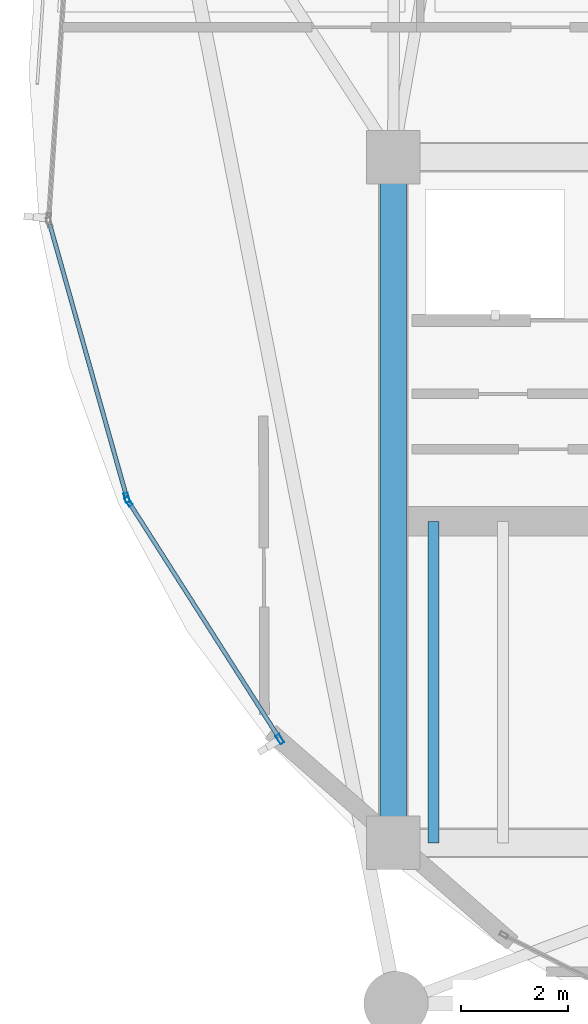
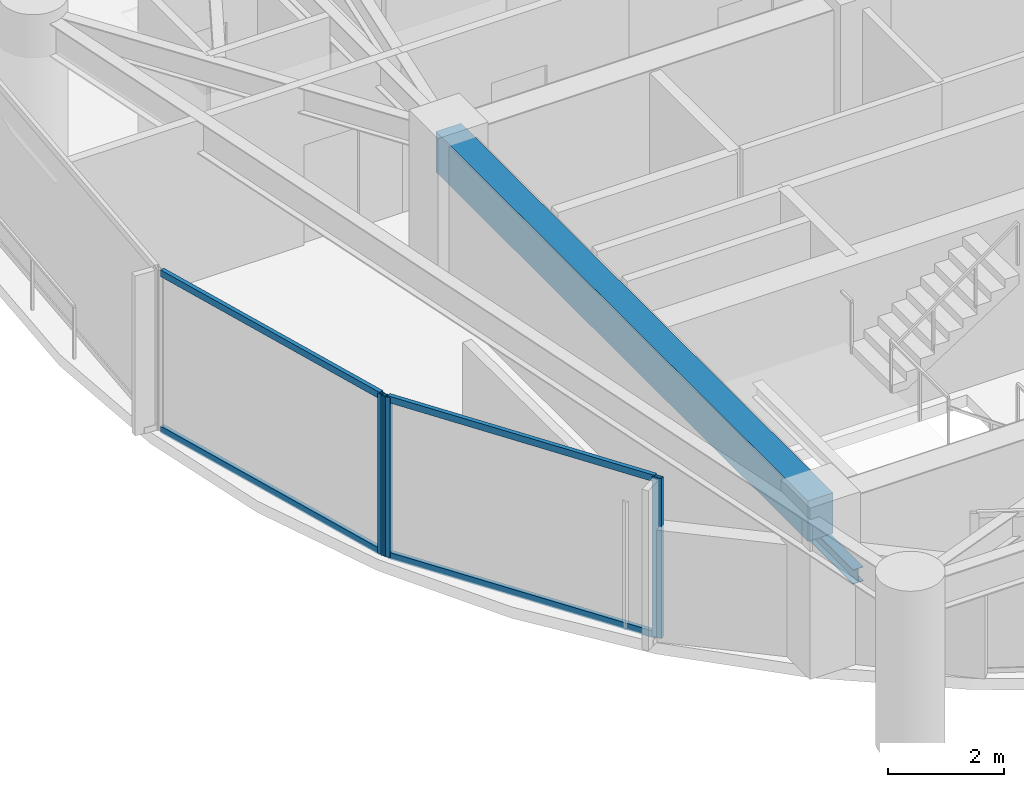
# One storey, part 3 of 30: 7 members, 2 beams, 2 elements without a shape of their own.
"""IFC4 building model written with IfcOpenShell, lengths in metres."""

from ifc_helpers import new_model, si_unit, direction, frame, origin, origin_2d, place, context, subcontext, project, spatial, rectangle, hollow_rectangle, i_section, extrude, material, layer, layer_set, material_profile, profile_set, type_object, element, aggregate, save


model = new_model("IFC4")

# Units and contexts
model_context = context("Model", 3, precision=1e-05, world=origin(), true_north=direction((0.0, 1.0)))
body_context = subcontext(model_context, "Body", "Model", "MODEL_VIEW")
ifc_project = project(units=[si_unit("LENGTHUNIT", "METRE"), si_unit("AREAUNIT", "SQUARE_METRE"), si_unit("VOLUMEUNIT", "CUBIC_METRE"), si_unit("PLANEANGLEUNIT", "RADIAN"), si_unit("MASSUNIT", "GRAM", prefix="KILO")], contexts=[model_context])

# Site, building, storey
site_placement = place(None, origin())
site = spatial("IfcSite", under=ifc_project, at=site_placement, CompositionType="ELEMENT")
building_placement = place(site_placement, origin())
building = spatial("IfcBuilding", under=site, at=building_placement, Name="Kazevale Care Tower and Concert Hall", CompositionType="ELEMENT")
storey_placement = place(building_placement, frame((0.0, 0.0, 131.39990234375)))
storey = spatial("IfcBuildingStorey", under=building, at=storey_placement, Name="L34", CompositionType="ELEMENT", Elevation=131.39990234375)

# Curtain wall, members
ifc_material_1 = material(Name="Aluminium 6063-T6 and Low-E Glass", Category="aluminium")
ifc_layer = layer(ifc_material_1, 0.179931640625)
ifc_layer_set = layer_set([ifc_layer], Name="Aluminium 6063-T6 and Low-E Glass")
curtain_wall_type = type_object("IfcCurtainWallType", Name="Waist & Upper Residential Curtain Wall CW-4", PredefinedType="NOTDEFINED", material=ifc_layer_set)
curtain_wall_1_placement = place(storey_placement, origin())
curtain_wall_1 = element("IfcCurtainWall", 1, at=curtain_wall_1_placement, inside=storey, type_object=curtain_wall_type, Name="cw:L34:f11", PredefinedType="NOTDEFINED")
ifc_material_2 = material(Name="Aluminium 6063-T6", Category="aluminium")
ifc_material_profile_1 = material_profile(ifc_material_2, hollow_rectangle(XDim=0.080078125, YDim=0.179931640625, WallThickness=0.0048828125, at=origin_2d()), Name="ALU80x180x5")
ifc_profile_set_1 = profile_set([ifc_material_profile_1], Name="Aluminium 6063-T6")
member_type_1 = type_object("IfcMemberType", Name="CW-4 Mullion ALU80x180x5", PredefinedType="MULLION", material=ifc_profile_set_1)
member_1_placement = place(storey_placement, frame((19.882568359375, 25.53564453125, 0.0), z_axis=(0.0, 0.0, 1.0), x_axis=(-0.843429930967, -0.537239193981, 0.0)))
member_1 = element("IfcMember", 2, at=member_1_placement, type_object=member_type_1, Name="CW-4 mullion 1", PredefinedType="MULLION", context=body_context, shape_type="SweptSolid", body=[
    extrude(hollow_rectangle(XDim=0.080078125, YDim=0.179931640625, WallThickness=0.0048828125, at=origin_2d()), origin(), (0.0, 0.0, 1.0), 3.360107421875),
])
member_2_placement = place(storey_placement, frame((17.05859375, 29.96923828125, 0.0), z_axis=(0.0, 0.0, 1.0), x_axis=(-0.843429930967, -0.537239193981, 0.0)))
member_2 = element("IfcMember", 3, at=member_2_placement, type_object=member_type_1, Name="CW-4 mullion 2", PredefinedType="MULLION", context=body_context, shape_type="SweptSolid", body=[
    extrude(hollow_rectangle(XDim=0.080078125, YDim=0.179931640625, WallThickness=0.0048828125, at=origin_2d()), origin(), (0.0, 0.0, 1.0), 3.360107421875),
])

# Curtain wall, member
curtain_wall_2_placement = place(storey_placement, origin())
curtain_wall_2 = element("IfcCurtainWall", 4, at=curtain_wall_2_placement, inside=storey, type_object=curtain_wall_type, Name="cw:L34:f12", PredefinedType="NOTDEFINED")
member_3_placement = place(storey_placement, frame((17.026123046875, 30.04150390625, 0.0), z_axis=(0.0, 0.0, 1.0), x_axis=(-0.962499078876, -0.271284948278, 0.0)))
member_3 = element("IfcMember", 5, at=member_3_placement, type_object=member_type_1, Name="CW-4 mullion 1", PredefinedType="MULLION", context=body_context, shape_type="SweptSolid", body=[
    extrude(hollow_rectangle(XDim=0.080078125, YDim=0.179931640625, WallThickness=0.0048828125, at=origin_2d()), origin(), (0.0, 0.0, 1.0), 3.360107421875),
])

# Member
ifc_material_profile_2 = material_profile(ifc_material_2, hollow_rectangle(XDim=0.080078125, YDim=0.139892578125, WallThickness=0.00390625, at=origin_2d()), Name="ALU80x140x4")
ifc_profile_set_2 = profile_set([ifc_material_profile_2], Name="Aluminium 6063-T6")
member_type_2 = type_object("IfcMemberType", Name="CW-4 Transom ALU80x140x4", PredefinedType="USERDEFINED", material=ifc_profile_set_2)
member_4_placement = place(storey_placement, frame((19.861083984375, 25.569580078125, 0.0400390625), z_axis=(-0.537241653837, 0.843428364109, 0.0), x_axis=(-0.843428364109, -0.537241653837, 0.0)))
member_4 = element("IfcMember", 6, at=member_4_placement, type_object=member_type_2, Name="CW-4 transom 1.1", ObjectType="TRANSOM", PredefinedType="USERDEFINED", context=body_context, shape_type="SweptSolid", body=[
    extrude(hollow_rectangle(XDim=0.080078125, YDim=0.139892578125, WallThickness=0.00390625, at=origin_2d()), origin(), (0.0, 0.0, 1.0), 5.176513671875),
])

member_5_placement = place(storey_placement, frame((19.861083984375, 25.569580078125, 3.320068359375), z_axis=(-0.537241653837, 0.843428364109, 0.0), x_axis=(-0.843428364109, -0.537241653837, 0.0)))
member_5 = element("IfcMember", 7, at=member_5_placement, type_object=member_type_2, Name="CW-4 transom 1.2", ObjectType="TRANSOM", PredefinedType="USERDEFINED", context=body_context, shape_type="SweptSolid", body=[
    extrude(hollow_rectangle(XDim=0.080078125, YDim=0.139892578125, WallThickness=0.00390625, at=origin_2d()), origin(), (0.0, 0.0, 1.0), 5.176513671875),
])

aggregate(curtain_wall_1, [member_1, member_2, member_4, member_5])

member_6_placement = place(storey_placement, frame((17.015380859375, 30.080078125, 0.0400390625), z_axis=(-0.271312503244, 0.962491311952, 0.0), x_axis=(-0.962491311952, -0.271312503244, 0.0)))
member_6 = element("IfcMember", 8, at=member_6_placement, type_object=member_type_2, Name="CW-4 transom 1.1", ObjectType="TRANSOM", PredefinedType="USERDEFINED", context=body_context, shape_type="SweptSolid", body=[
    extrude(hollow_rectangle(XDim=0.080078125, YDim=0.139892578125, WallThickness=0.00390625, at=origin_2d()), origin(), (0.0, 0.0, 1.0), 5.26220703125),
])

member_7_placement = place(storey_placement, frame((17.015380859375, 30.080078125, 3.320068359375), z_axis=(-0.271312503244, 0.962491311952, 0.0), x_axis=(-0.962491311952, -0.271312503244, 0.0)))
member_7 = element("IfcMember", 9, at=member_7_placement, type_object=member_type_2, Name="CW-4 transom 1.2", ObjectType="TRANSOM", PredefinedType="USERDEFINED", context=body_context, shape_type="SweptSolid", body=[
    extrude(hollow_rectangle(XDim=0.080078125, YDim=0.139892578125, WallThickness=0.00390625, at=origin_2d()), origin(), (0.0, 0.0, 1.0), 5.26220703125),
])

aggregate(curtain_wall_2, [member_3, member_6, member_7])

# Beams
ifc_material_3 = material(Name="Concrete C60", Category="concrete")
ifc_material_profile_3 = material_profile(ifc_material_3, rectangle(XDim=0.5, YDim=0.85009765625, at=origin_2d()), Name="RC-B500x850")
ifc_profile_set_3 = profile_set([ifc_material_profile_3], Name="Concrete C60")
beam_type_1 = type_object("IfcBeamType", Name="Core Coupling Beam RC500x850", PredefinedType="LINTEL", material=ifc_profile_set_3)
beam_1_placement = place(storey_placement, frame((22.0, 36.39990234375, 2.93505859375), z_axis=(0.0, -1.0, 0.0), x_axis=(1.0, 0.0, 0.0)))
element("IfcBeam", 10, at=beam_1_placement, inside=storey, type_object=beam_type_1, Name="beam:L34:coretie:8", PredefinedType="LINTEL", context=body_context, shape_type="SweptSolid", body=[
    extrude(rectangle(XDim=0.5, YDim=0.85009765625, at=origin_2d()), origin(), (0.0, 0.0, 1.0), 12.7998046875),
])
ifc_material_4 = material(Name="Steel ASTM A572 Gr 50", Category="steel")
ifc_material_profile_4 = material_profile(ifc_material_4, i_section(OverallWidth=0.202880859375, OverallDepth=0.302978515625, WebThickness=0.007568359375, FlangeThickness=0.01318359375, at=origin_2d()), Name="W310x60")
ifc_profile_set_4 = profile_set([ifc_material_profile_4], Name="Steel ASTM A572 Gr 50")
beam_type_2 = type_object("IfcBeamType", Name="Stair & Balcony Trimmer W310x60", PredefinedType="BEAM", material=ifc_profile_set_4)
beam_2_placement = place(storey_placement, frame((22.75, 23.60009765625, 1.448486328125), z_axis=(0.0, 1.0, 0.0), x_axis=(-1.0, 0.0, 0.0)))
element("IfcBeam", 11, at=beam_2_placement, inside=storey, type_object=beam_type_2, Name="beam:L34:sttrim:ST1", PredefinedType="BEAM", context=body_context, shape_type="SweptSolid", body=[
    extrude(i_section(OverallWidth=0.202880859375, OverallDepth=0.302978515625, WebThickness=0.007568359375, FlangeThickness=0.01318359375, at=origin_2d()), origin(), (0.0, 0.0, 1.0), 6.0),
])

save(model, "model.ifc")
